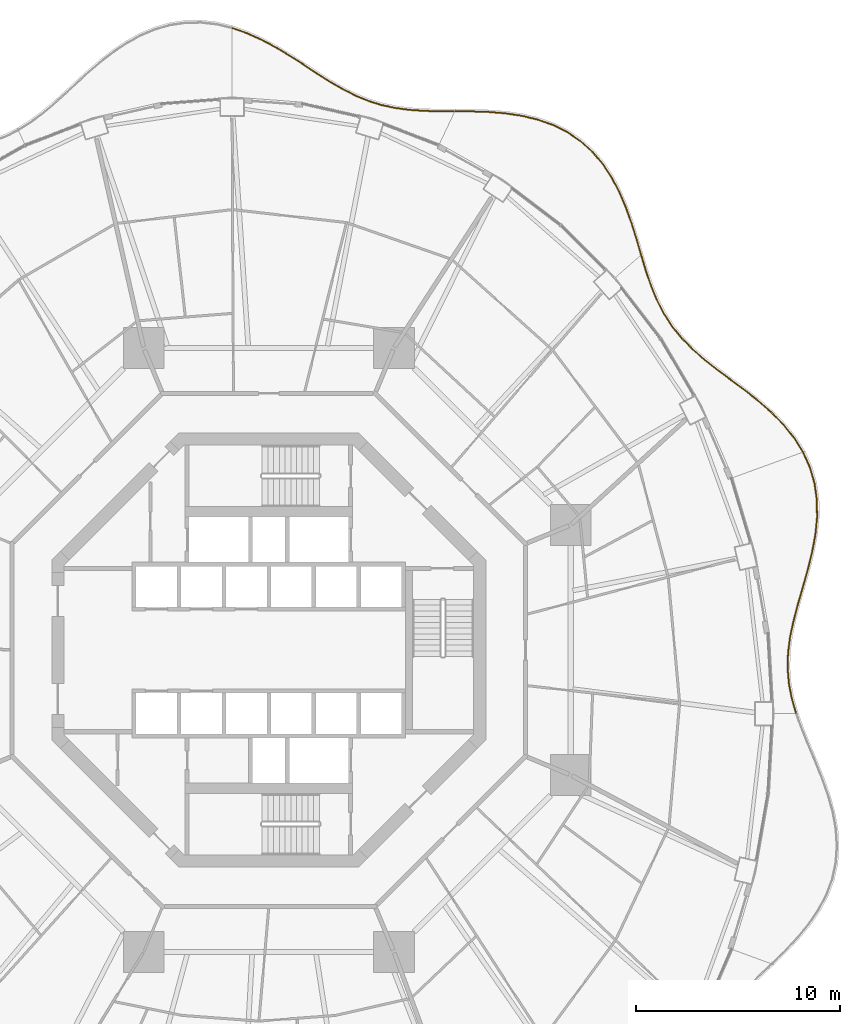
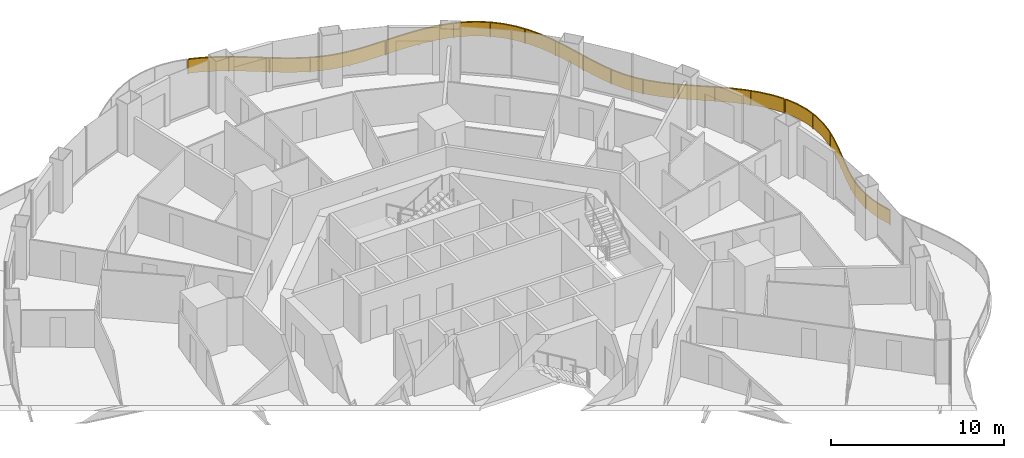
# One storey, part 21 of 21: 4 railings.
"""IFC4 building model written with IfcOpenShell, lengths in metres."""

from ifc_helpers import new_model, si_unit, direction, frame, origin, origin_2d, place, context, subcontext, project, spatial, polyline, rectangle, outline, extrude, material, type_object, element, save


model = new_model("IFC4")

# Units and contexts
model_context = context("Model", 3, precision=1e-05, world=origin(), true_north=direction((0.0, 1.0)))
body_context = subcontext(model_context, "Body", "Model", "MODEL_VIEW")
ifc_project = project(units=[si_unit("LENGTHUNIT", "METRE"), si_unit("AREAUNIT", "SQUARE_METRE"), si_unit("VOLUMEUNIT", "CUBIC_METRE"), si_unit("PLANEANGLEUNIT", "RADIAN"), si_unit("MASSUNIT", "GRAM", prefix="KILO")], contexts=[model_context])

# Site, building, storey
site_placement = place(None, origin())
site = spatial("IfcSite", under=ifc_project, at=site_placement, CompositionType="ELEMENT")
building_placement = place(site_placement, origin())
building = spatial("IfcBuilding", under=site, at=building_placement, Name="Nagisa Residences", CompositionType="ELEMENT")
storey_placement = place(building_placement, frame((0.0, 0.0, 156.60009765625)))
storey = spatial("IfcBuildingStorey", under=building, at=storey_placement, Name="L39", CompositionType="ELEMENT", Elevation=156.60009765625)

# Railings
ifc_material = material(Name="Stainless steel 316", Category="steel")
railing_type = type_object("IfcRailingType", Name="BALCONY GUARD 1100", PredefinedType="BALUSTRADE", material=ifc_material)
railing_1_placement = place(storey_placement, frame((25.804931640625, -3.0830078125, 0.0)))
element("IfcRailing", 1, at=railing_1_placement, inside=storey, type_object=railing_type, Name="guard:L39:bal00-0", PredefinedType="BALUSTRADE", context=body_context, shape_type="SweptSolid", body=[
    extrude(outline(polyline([(-0.230224609375, 0.710693359375), (-0.024169921875, -0.0068359375), (0.024169921875, 0.0068359375), (-0.181396484375, 0.722412109375), (-0.3232421875, 1.47265625), (-0.382568359375, 2.222900390625), (-0.35888671875, 2.98046875), (-0.257568359375, 3.75048828125), (-0.08935546875, 4.52392578125), (0.124267578125, 5.3310546875), (0.362548828125, 6.157470703125), (0.60009765625, 7.001220703125), (0.8115234375, 7.857666015625), (0.97412109375, 8.706298828125), (1.058837890625, 9.56591796875), (1.050048828125, 10.413818359375), (0.935546875, 11.2392578125), (0.707275390625, 12.033935546875), (0.3857421875, 12.746337890625), (0.34033203125, 12.725830078125), (0.660400390625, 12.016845703125), (0.88623046875, 11.22900390625), (1.000244140625, 10.409912109375), (1.008544921875, 9.568359375), (0.92431640625, 8.713623046875), (0.7626953125, 7.868408203125), (0.5517578125, 7.013916015625), (0.314208984375, 6.171142578125), (0.075927734375, 5.34423828125), (-0.13818359375, 4.53564453125), (-0.306884765625, 3.75927734375), (-0.40869140625, 2.984375), (-0.432861328125, 2.221923828125), (-0.373046875, 1.4658203125), (-0.230224609375, 0.710693359375)])), frame((0.0, 0.0, 1.050048828125)), (0.0, 0.0, 1.0), 0.050048828125),
    extrude(outline(polyline([(-0.212646484375, 0.71484375), (-0.0068359375, -0.001953125), (0.0068359375, 0.001953125), (-0.198974609375, 0.71826171875), (-0.34130859375, 1.47021484375), (-0.400634765625, 2.22265625), (-0.376708984375, 2.98193359375), (-0.275390625, 3.753662109375), (-0.10693359375, 4.528076171875), (0.10693359375, 5.335693359375), (0.34521484375, 6.162353515625), (0.582763671875, 7.005859375), (0.7939453125, 7.861572265625), (0.9560546875, 8.708984375), (1.040771484375, 9.56689453125), (1.0322265625, 10.412353515625), (0.917724609375, 11.235595703125), (0.6904296875, 12.02783203125), (0.369384765625, 12.739013671875), (0.356689453125, 12.733154296875), (0.67724609375, 12.02294921875), (0.904052734375, 11.232666015625), (1.01806640625, 10.411376953125), (1.026611328125, 9.5673828125), (0.9423828125, 8.7109375), (0.7802734375, 7.864501953125), (0.569091796875, 7.00927734375), (0.33154296875, 6.166259765625), (0.09326171875, 5.339599609375), (-0.12060546875, 4.531494140625), (-0.2890625, 3.756103515625), (-0.390869140625, 2.98291015625), (-0.414794921875, 2.22216796875), (-0.35498046875, 1.46826171875), (-0.212646484375, 0.71484375)])), frame((0.0, 0.0, 0.06005859375)), (0.0, 0.0, 1.0), 0.989990234375),
    extrude(rectangle(XDim=0.0400390625, YDim=0.0400390625, at=origin_2d()), origin(), (0.0, 0.0, 1.0), 1.050048828125),
    extrude(rectangle(XDim=0.0400390625, YDim=0.0400390625, at=origin_2d()), frame((-0.400390625, 2.13134765625, 0.0)), (0.0, 0.0, 1.0), 1.050048828125),
    extrude(rectangle(XDim=0.0400390625, YDim=0.0400390625, at=origin_2d()), frame((-0.16650390625, 4.287353515625, 0.0)), (0.0, 0.0, 1.0), 1.050048828125),
    extrude(rectangle(XDim=0.0400390625, YDim=0.0400390625, at=origin_2d()), frame((0.401123046875, 6.38720703125, 0.0)), (0.0, 0.0, 1.0), 1.050048828125),
    extrude(rectangle(XDim=0.0400390625, YDim=0.0400390625, at=origin_2d()), frame((0.909423828125, 8.50146484375, 0.0)), (0.0, 0.0, 1.0), 1.050048828125),
    extrude(rectangle(XDim=0.0400390625, YDim=0.0400390625, at=origin_2d()), frame((0.98974609375, 10.666748046875, 0.0)), (0.0, 0.0, 1.0), 1.050048828125),
    extrude(rectangle(XDim=0.0400390625, YDim=0.0400390625, at=origin_2d()), frame((0.363037109375, 12.736083984375, 0.0)), (0.0, 0.0, 1.0), 1.050048828125),
])
railing_2_placement = place(storey_placement, frame((26.131103515625, 9.72119140625, 0.0)))
element("IfcRailing", 2, at=railing_2_placement, inside=storey, type_object=railing_type, Name="guard:L39:bal01-0", PredefinedType="BALUSTRADE", context=body_context, shape_type="SweptSolid", body=[
    extrude(outline(polyline([(-0.426513671875, 0.634033203125), (-0.021240234375, -0.01318359375), (0.021240234375, 0.01318359375), (-0.385498046875, 0.662841796875), (-0.904541015625, 1.31005859375), (-1.494384765625, 1.914306640625), (-2.13623046875, 2.480224609375), (-2.808349609375, 3.013427734375), (-3.481201171875, 3.510986328125), (-4.147216796875, 4.009765625), (-4.78125, 4.5087890625), (-5.367431640625, 5.020751953125), (-5.895751953125, 5.556884765625), (-6.351806640625, 6.115234375), (-6.75244140625, 6.728515625), (-7.094970703125, 7.38818359375), (-7.388427734375, 8.095458984375), (-7.647216796875, 8.8466796875), (-7.872802734375, 9.591552734375), (-7.920654296875, 9.576904296875), (-7.695068359375, 8.8310546875), (-7.435302734375, 8.077880859375), (-7.140380859375, 7.3671875), (-6.7958984375, 6.703125), (-6.392333984375, 6.08544921875), (-5.932861328125, 5.523193359375), (-5.401611328125, 4.984130859375), (-4.81298828125, 4.47021484375), (-4.177490234375, 3.97021484375), (-3.510986328125, 3.470947265625), (-2.838623046875, 2.973876953125), (-2.16845703125, 2.441650390625), (-1.529052734375, 1.878173828125), (-0.942138671875, 1.27685546875), (-0.426513671875, 0.634033203125)])), frame((0.0, 0.0, 1.050048828125)), (0.0, 0.0, 1.0), 0.050048828125),
    extrude(outline(polyline([(-0.41162109375, 0.644287109375), (-0.005859375, -0.003662109375), (0.005859375, 0.003662109375), (-0.400390625, 0.652587890625), (-0.918212890625, 1.298095703125), (-1.5068359375, 1.9013671875), (-2.14794921875, 2.46630859375), (-2.8193359375, 2.999267578125), (-3.491943359375, 3.49658203125), (-4.158203125, 3.99560546875), (-4.792724609375, 4.494873046875), (-5.379638671875, 5.007568359375), (-5.9091796875, 5.544677734375), (-6.366455078125, 6.1044921875), (-6.76806640625, 6.71923828125), (-7.111328125, 7.380615234375), (-7.4052734375, 8.089111328125), (-7.66455078125, 8.841064453125), (-7.89013671875, 9.586181640625), (-7.9033203125, 9.582275390625), (-7.677734375, 8.836669921875), (-7.41845703125, 8.084228515625), (-7.1240234375, 7.374755859375), (-6.7802734375, 6.71240234375), (-6.377685546875, 6.09619140625), (-5.91943359375, 5.535400390625), (-5.389404296875, 4.997314453125), (-4.801513671875, 4.484130859375), (-4.16650390625, 3.984375), (-3.500244140625, 3.4853515625), (-2.82763671875, 2.988037109375), (-2.15673828125, 2.45556640625), (-1.5166015625, 1.89111328125), (-0.928466796875, 1.288818359375), (-0.41162109375, 0.644287109375)])), frame((0.0, 0.0, 0.06005859375)), (0.0, 0.0, 1.0), 0.989990234375),
    extrude(rectangle(XDim=0.0400390625, YDim=0.0400390625, at=origin_2d()), origin(), (0.0, 0.0, 1.0), 1.050048828125),
    extrude(rectangle(XDim=0.0400390625, YDim=0.0400390625, at=origin_2d()), frame((-1.290283203125, 1.669189453125, 0.0)), (0.0, 0.0, 1.0), 1.050048828125),
    extrude(rectangle(XDim=0.0400390625, YDim=0.0400390625, at=origin_2d()), frame((-2.895263671875, 3.046630859375, 0.0)), (0.0, 0.0, 1.0), 1.050048828125),
    extrude(rectangle(XDim=0.0400390625, YDim=0.0400390625, at=origin_2d()), frame((-4.584716796875, 4.322265625, 0.0)), (0.0, 0.0, 1.0), 1.050048828125),
    extrude(rectangle(XDim=0.0400390625, YDim=0.0400390625, at=origin_2d()), frame((-6.11181640625, 5.78173828125, 0.0)), (0.0, 0.0, 1.0), 1.050048828125),
    extrude(rectangle(XDim=0.0400390625, YDim=0.0400390625, at=origin_2d()), frame((-7.203857421875, 7.58544921875, 0.0)), (0.0, 0.0, 1.0), 1.050048828125),
    extrude(rectangle(XDim=0.0400390625, YDim=0.0400390625, at=origin_2d()), frame((-7.896728515625, 9.584228515625, 0.0)), (0.0, 0.0, 1.0), 1.050048828125),
])
railing_3_placement = place(storey_placement, frame((18.214599609375, 19.37841796875, 0.0)))
element("IfcRailing", 3, at=railing_3_placement, inside=storey, type_object=railing_type, Name="guard:L39:bal02-0", PredefinedType="BALUSTRADE", context=body_context, shape_type="SweptSolid", body=[
    extrude(outline(polyline([(-0.23779296875, 0.723388671875), (-0.02392578125, -0.007080078125), (0.02392578125, 0.007080078125), (-0.18994140625, 0.738037109375), (-0.435302734375, 1.5205078125), (-0.712158203125, 2.29736328125), (-1.03466796875, 3.05322265625), (-1.4140625, 3.771728515625), (-1.845703125, 4.427734375), (-2.358154296875, 5.028564453125), (-2.93994140625, 5.552978515625), (-3.587158203125, 5.993896484375), (-4.293212890625, 6.3486328125), (-5.03564453125, 6.60986328125), (-5.826171875, 6.7998046875), (-6.64306640625, 6.92138671875), (-7.4716796875, 6.98779296875), (-8.2998046875, 7.015380859375), (-9.07080078125, 7.019287109375), (-9.0712890625, 6.969482421875), (-8.30078125, 6.965576171875), (-7.474609375, 6.93798828125), (-6.64892578125, 6.87158203125), (-5.8359375, 6.75048828125), (-5.0498046875, 6.56201171875), (-4.312744140625, 6.30224609375), (-3.612548828125, 5.950439453125), (-2.970703125, 5.513427734375), (-2.394287109375, 4.993408203125), (-1.8857421875, 4.3974609375), (-1.45703125, 3.746337890625), (-1.080078125, 3.03173828125), (-0.759033203125, 2.279296875), (-0.482666015625, 1.50439453125), (-0.23779296875, 0.723388671875)])), frame((0.0, 0.0, 1.050048828125)), (0.0, 0.0, 1.0), 0.050048828125),
    extrude(outline(polyline([(-0.220458984375, 0.728759765625), (-0.0068359375, -0.001953125), (0.0068359375, 0.001953125), (-0.207275390625, 0.732666015625), (-0.452392578125, 1.5146484375), (-0.72900390625, 2.290771484375), (-1.051025390625, 3.04541015625), (-1.429443359375, 3.7626953125), (-1.860107421875, 4.416748046875), (-2.37109375, 5.015869140625), (-2.950927734375, 5.538818359375), (-3.59619140625, 5.978271484375), (-4.30029296875, 6.331787109375), (-5.040771484375, 6.5927734375), (-5.829833984375, 6.781982421875), (-6.645263671875, 6.903564453125), (-7.47265625, 6.969970703125), (-8.300048828125, 6.99755859375), (-9.071044921875, 7.00146484375), (-9.071044921875, 6.9873046875), (-8.300537109375, 6.9833984375), (-7.4736328125, 6.955810546875), (-6.646728515625, 6.889404296875), (-5.832275390625, 6.768310546875), (-5.044677734375, 6.5791015625), (-4.3056640625, 6.319091796875), (-3.603515625, 5.966064453125), (-2.959716796875, 5.527587890625), (-2.38134765625, 5.006103515625), (-1.871337890625, 4.408447265625), (-1.441650390625, 3.75537109375), (-1.063720703125, 3.03955078125), (-0.7421875, 2.285888671875), (-0.465576171875, 1.51025390625), (-0.220458984375, 0.728759765625)])), frame((0.0, 0.0, 0.06005859375)), (0.0, 0.0, 1.0), 0.989990234375),
    extrude(rectangle(XDim=0.0400390625, YDim=0.0400390625, at=origin_2d()), origin(), (0.0, 0.0, 1.0), 1.050048828125),
    extrude(rectangle(XDim=0.0400390625, YDim=0.0400390625, at=origin_2d()), frame((-0.64453125, 2.03271484375, 0.0)), (0.0, 0.0, 1.0), 1.050048828125),
    extrude(rectangle(XDim=0.0400390625, YDim=0.0400390625, at=origin_2d()), frame((-1.562744140625, 3.9521484375, 0.0)), (0.0, 0.0, 1.0), 1.050048828125),
    extrude(rectangle(XDim=0.0400390625, YDim=0.0400390625, at=origin_2d()), frame((-2.968017578125, 5.541748046875, 0.0)), (0.0, 0.0, 1.0), 1.050048828125),
    extrude(rectangle(XDim=0.0400390625, YDim=0.0400390625, at=origin_2d()), frame((-4.851318359375, 6.5185546875, 0.0)), (0.0, 0.0, 1.0), 1.050048828125),
    extrude(rectangle(XDim=0.0400390625, YDim=0.0400390625, at=origin_2d()), frame((-6.9404296875, 6.920166015625, 0.0)), (0.0, 0.0, 1.0), 1.050048828125),
    extrude(rectangle(XDim=0.0400390625, YDim=0.0400390625, at=origin_2d()), frame((-9.071044921875, 6.994384765625, 0.0)), (0.0, 0.0, 1.0), 1.050048828125),
])
railing_4_placement = place(storey_placement, frame((9.067626953125, 26.37158203125, 0.0)))
element("IfcRailing", 4, at=railing_4_placement, inside=storey, type_object=railing_type, Name="guard:L39:bal03-0", PredefinedType="BALUSTRADE", context=body_context, shape_type="SweptSolid", body=[
    extrude(outline(polyline([(-0.723388671875, -0.0224609375), (0.0, -0.02490234375), (0.0, 0.02490234375), (-0.722412109375, 0.02734375), (-1.467041015625, 0.04736328125), (-2.18505859375, 0.09716796875), (-2.876220703125, 0.189453125), (-3.54296875, 0.333251953125), (-4.173095703125, 0.529541015625), (-4.805908203125, 0.7890625), (-5.431884765625, 1.1044921875), (-6.05859375, 1.46826171875), (-6.69287109375, 1.869140625), (-7.3232421875, 2.289794921875), (-7.989990234375, 2.71826171875), (-8.677978515625, 3.13330078125), (-9.388427734375, 3.515625), (-10.119873046875, 3.846435546875), (-10.82275390625, 4.09521484375), (-10.83935546875, 4.0478515625), (-10.138427734375, 3.800048828125), (-9.410400390625, 3.470703125), (-8.702880859375, 3.08984375), (-8.016357421875, 2.67578125), (-7.3505859375, 2.247802734375), (-6.72021484375, 1.8271484375), (-6.08447265625, 1.42529296875), (-5.455810546875, 1.060546875), (-4.826904296875, 0.74365234375), (-4.190185546875, 0.482177734375), (-3.5556640625, 0.284912109375), (-2.885009765625, 0.14013671875), (-2.18994140625, 0.04736328125), (-1.469482421875, -0.00244140625), (-0.723388671875, -0.0224609375)])), frame((0.0, 0.0, 1.050048828125)), (0.0, 0.0, 1.0), 0.050048828125),
    extrude(outline(polyline([(-0.722900390625, -0.004638671875), (0.0, -0.007080078125), (0.0, 0.007080078125), (-0.722900390625, 0.009521484375), (-1.468017578125, 0.029541015625), (-2.186767578125, 0.079345703125), (-2.87939453125, 0.171630859375), (-3.547607421875, 0.31591796875), (-4.17919921875, 0.512451171875), (-4.8134765625, 0.772705078125), (-5.4404296875, 1.088623046875), (-6.06787109375, 1.452880859375), (-6.70263671875, 1.85400390625), (-7.3330078125, 2.274658203125), (-7.99951171875, 2.702880859375), (-8.68701171875, 3.11767578125), (-9.396240234375, 3.49951171875), (-10.12646484375, 3.829833984375), (-10.82861328125, 4.078125), (-10.83349609375, 4.06494140625), (-10.1318359375, 3.816650390625), (-9.402587890625, 3.48681640625), (-8.69384765625, 3.10546875), (-8.0068359375, 2.691162109375), (-7.3408203125, 2.262939453125), (-6.71044921875, 1.84228515625), (-6.0751953125, 1.440673828125), (-5.447265625, 1.076416015625), (-4.8193359375, 0.760009765625), (-4.18408203125, 0.499267578125), (-3.551025390625, 0.30224609375), (-2.8818359375, 0.157958984375), (-2.188232421875, 0.065185546875), (-1.468505859375, 0.015380859375), (-0.722900390625, -0.004638671875)])), frame((0.0, 0.0, 0.06005859375)), (0.0, 0.0, 1.0), 0.989990234375),
    extrude(rectangle(XDim=0.0400390625, YDim=0.0400390625, at=origin_2d()), origin(), (0.0, 0.0, 1.0), 1.050048828125),
    extrude(rectangle(XDim=0.0400390625, YDim=0.0400390625, at=origin_2d()), frame((-2.357177734375, 0.094970703125, 0.0)), (0.0, 0.0, 1.0), 1.050048828125),
    extrude(rectangle(XDim=0.0400390625, YDim=0.0400390625, at=origin_2d()), frame((-4.631591796875, 0.6904296875, 0.0)), (0.0, 0.0, 1.0), 1.050048828125),
    extrude(rectangle(XDim=0.0400390625, YDim=0.0400390625, at=origin_2d()), frame((-6.69091796875, 1.83837890625, 0.0)), (0.0, 0.0, 1.0), 1.050048828125),
    extrude(rectangle(XDim=0.0400390625, YDim=0.0400390625, at=origin_2d()), frame((-8.681640625, 3.106201171875, 0.0)), (0.0, 0.0, 1.0), 1.050048828125),
    extrude(rectangle(XDim=0.0400390625, YDim=0.0400390625, at=origin_2d()), frame((-10.8310546875, 4.071533203125, 0.0)), (0.0, 0.0, 1.0), 1.050048828125),
])

save(model, "model.ifc")
